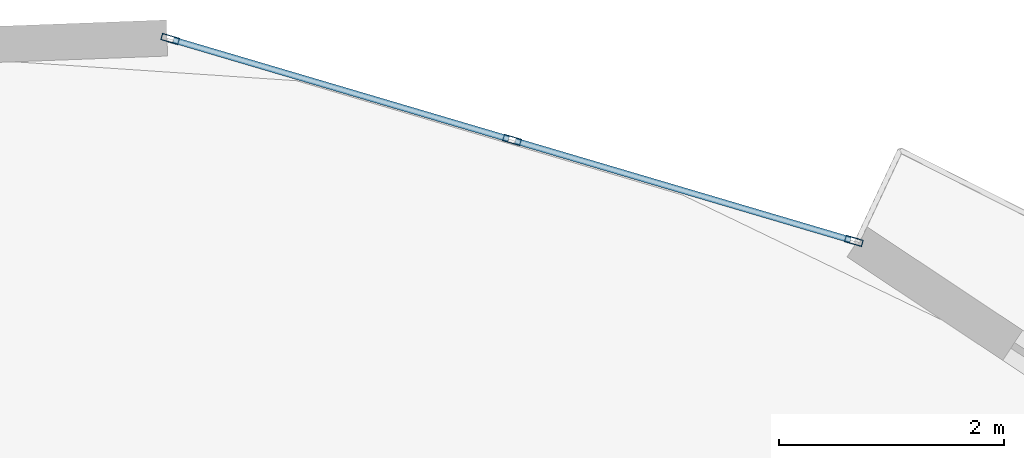
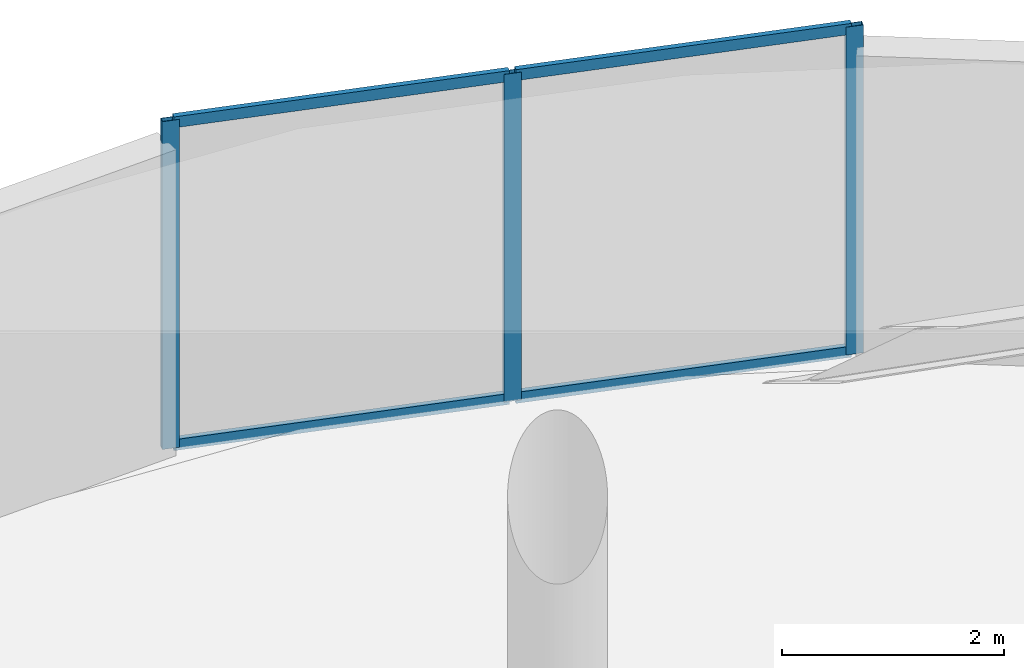
# One storey, part 17 of 24: 7 members, 1 element without a shape of its own.
"""IFC4 building model written with IfcOpenShell, lengths in metres."""

from ifc_helpers import new_model, si_unit, direction, frame, origin, origin_2d, place, context, subcontext, project, spatial, hollow_rectangle, extrude, source, transform, mapped, material, layer, layer_set, material_profile, profile_set, type_object, element, aggregate, save


model = new_model("IFC4")

# Units and contexts
model_context = context("Model", 3, precision=1e-05, world=origin(), true_north=direction((0.0, 1.0)))
body_context = subcontext(model_context, "Body", "Model", "MODEL_VIEW")
ifc_project = project(units=[si_unit("LENGTHUNIT", "METRE"), si_unit("AREAUNIT", "SQUARE_METRE"), si_unit("VOLUMEUNIT", "CUBIC_METRE"), si_unit("PLANEANGLEUNIT", "RADIAN"), si_unit("MASSUNIT", "GRAM", prefix="KILO")], contexts=[model_context])

# Site, building, storey
site_placement = place(None, origin())
site = spatial("IfcSite", under=ifc_project, at=site_placement, CompositionType="ELEMENT")
building_placement = place(site_placement, origin())
building = spatial("IfcBuilding", under=site, at=building_placement, Name="Solvirekh Grand Hotel", CompositionType="ELEMENT")
storey_placement = place(building_placement, frame((0.0, 0.0, 184.0)))
storey = spatial("IfcBuildingStorey", under=building, at=storey_placement, Name="L47", CompositionType="ELEMENT", Elevation=184.0)

# Curtain wall, members
ifc_material = material(Name="Anodized Bronze Aluminium 6063-T6", Category="aluminium")
ifc_layer = layer(ifc_material, 0.159912109375)
ifc_layer_set = layer_set([ifc_layer], Name="Anodized Bronze Aluminium 6063-T6")
curtain_wall_type = type_object("IfcCurtainWallType", Name="CW_Sys4_HighZoneFlushBronzeCW", PredefinedType="NOTDEFINED", material=ifc_layer_set)
curtain_wall_placement = place(storey_placement, origin())
curtain_wall = element("IfcCurtainWall", 1, at=curtain_wall_placement, inside=storey, type_object=curtain_wall_type, Name="L47 unitised bronze-glass curtain wall CW-L47-C08", PredefinedType="NOTDEFINED")
ifc_material_profile_1 = material_profile(ifc_material, hollow_rectangle(XDim=0.06005859375, YDim=0.159912109375, WallThickness=0.0048828125, at=origin_2d()), Name="ALU RHS 160X60X5")
ifc_profile_set_1 = profile_set([ifc_material_profile_1], Name="Anodized Bronze Aluminium 6063-T6")
member_type_1 = type_object("IfcMemberType", Name="CWMullion_Sys4", PredefinedType="MULLION", material=ifc_profile_set_1)
shared_shape_1 = source(origin(), body_context, "Body", "SweptSolid", [
    extrude(hollow_rectangle(XDim=0.06005859375, YDim=0.159912109375, WallThickness=0.0048828125, at=origin_2d()), origin(), (0.0, 0.0, 1.0), 3.60009765625),
])
member_1_placement = place(storey_placement, frame((4.94921875, 19.03955078125, 0.0), z_axis=(0.0, 0.0, 1.0), x_axis=(-0.283310151236, -0.959028340669, 0.0)))
member_1 = element("IfcMember", 2, at=member_1_placement, type_object=member_type_1, Name="U04 mullion 1", PredefinedType="MULLION", context=body_context, shape_type="MappedRepresentation", body=[
    mapped(shared_shape_1, transform((0.0, 0.0, 0.0), x_axis=(1.0, 0.0, 0.0), y_axis=(0.0, 1.0, 0.0), z_axis=(0.0, 0.0, 1.0), scale=1.0)),
])
member_2_placement = place(storey_placement, frame((1.91455078125, 19.93603515625, 0.0), z_axis=(0.0, 0.0, 1.0), x_axis=(-0.283310151236, -0.959028340669, 0.0)))
member_2 = element("IfcMember", 3, at=member_2_placement, type_object=member_type_1, Name="U04 mullion 2", PredefinedType="MULLION", context=body_context, shape_type="MappedRepresentation", body=[
    mapped(shared_shape_1, transform((0.0, 0.0, 0.0), x_axis=(1.0, 0.0, 0.0), y_axis=(0.0, 1.0, 0.0), z_axis=(0.0, 0.0, 1.0), scale=1.0)),
])
member_3_placement = place(storey_placement, frame((-1.1201171875, 20.83251953125, 0.0), z_axis=(0.0, 0.0, 1.0), x_axis=(-0.283310151236, -0.959028340669, 0.0)))
member_3 = element("IfcMember", 4, at=member_3_placement, type_object=member_type_1, Name="U04 mullion 3", PredefinedType="MULLION", context=body_context, shape_type="MappedRepresentation", body=[
    mapped(shared_shape_1, transform((0.0, 0.0, 0.0), x_axis=(1.0, 0.0, 0.0), y_axis=(0.0, 1.0, 0.0), z_axis=(0.0, 0.0, 1.0), scale=1.0)),
])
ifc_material_profile_2 = material_profile(ifc_material, hollow_rectangle(XDim=0.054931640625, YDim=0.1201171875, WallThickness=0.00390625, at=origin_2d()), Name="ALU RHS 120X55X4")
ifc_profile_set_2 = profile_set([ifc_material_profile_2], Name="Anodized Bronze Aluminium 6063-T6")
member_type_2 = type_object("IfcMemberType", Name="CWTransom_Sys4", PredefinedType="USERDEFINED", material=ifc_profile_set_2)
shared_shape_2 = source(origin(), body_context, "Body", "SweptSolid", [
    extrude(hollow_rectangle(XDim=0.054931640625, YDim=0.1201171875, WallThickness=0.00390625, at=origin_2d()), origin(), (0.0, 0.0, 1.0), 3.1044921875),
])
member_4_placement = place(storey_placement, frame((1.8857421875, 19.944580078125, 0.027587890625), z_axis=(-0.959040531707, 0.283268880296, 0.0), x_axis=(-0.283268880296, -0.959040531707, 0.0)))
member_4 = element("IfcMember", 5, at=member_4_placement, type_object=member_type_2, Name="U04 transom 2.1", ObjectType="TRANSOM", PredefinedType="USERDEFINED", context=body_context, shape_type="MappedRepresentation", body=[
    mapped(shared_shape_2, transform((0.0, 0.0, 0.0), x_axis=(1.0, 0.0, 0.0), y_axis=(0.0, 1.0, 0.0), z_axis=(0.0, 0.0, 1.0), scale=1.0)),
])
member_5_placement = place(storey_placement, frame((1.8857421875, 19.944580078125, 3.572509765625), z_axis=(-0.959040531707, 0.283268880296, 0.0), x_axis=(-0.283268880296, -0.959040531707, 0.0)))
member_5 = element("IfcMember", 6, at=member_5_placement, type_object=member_type_2, Name="U04 transom 2.2", ObjectType="TRANSOM", PredefinedType="USERDEFINED", context=body_context, shape_type="MappedRepresentation", body=[
    mapped(shared_shape_2, transform((0.0, 0.0, 0.0), x_axis=(1.0, 0.0, 0.0), y_axis=(0.0, 1.0, 0.0), z_axis=(0.0, 0.0, 1.0), scale=1.0)),
])
shared_shape_3 = source(origin(), body_context, "Body", "SweptSolid", [
    extrude(hollow_rectangle(XDim=0.054931640625, YDim=0.1201171875, WallThickness=0.00390625, at=origin_2d()), origin(), (0.0, 0.0, 1.0), 3.104248046875),
])
member_6_placement = place(storey_placement, frame((4.92041015625, 19.048095703125, 0.027587890625), z_axis=(-0.959034220651, 0.283290246251, 0.0), x_axis=(-0.283290246251, -0.959034220651, 0.0)))
member_6 = element("IfcMember", 7, at=member_6_placement, type_object=member_type_2, Name="U04 transom 1.1", ObjectType="TRANSOM", PredefinedType="USERDEFINED", context=body_context, shape_type="MappedRepresentation", body=[
    mapped(shared_shape_3, transform((0.0, 0.0, 0.0), x_axis=(1.0, 0.0, 0.0), y_axis=(0.0, 1.0, 0.0), z_axis=(0.0, 0.0, 1.0), scale=1.0)),
])
member_7_placement = place(storey_placement, frame((4.92041015625, 19.048095703125, 3.572509765625), z_axis=(-0.959034220651, 0.283290246251, 0.0), x_axis=(-0.283290246251, -0.959034220651, 0.0)))
member_7 = element("IfcMember", 8, at=member_7_placement, type_object=member_type_2, Name="U04 transom 1.2", ObjectType="TRANSOM", PredefinedType="USERDEFINED", context=body_context, shape_type="MappedRepresentation", body=[
    mapped(shared_shape_3, transform((0.0, 0.0, 0.0), x_axis=(1.0, 0.0, 0.0), y_axis=(0.0, 1.0, 0.0), z_axis=(0.0, 0.0, 1.0), scale=1.0)),
])
aggregate(curtain_wall, [member_1, member_2, member_3, member_6, member_7, member_4, member_5])

save(model, "model.ifc")
